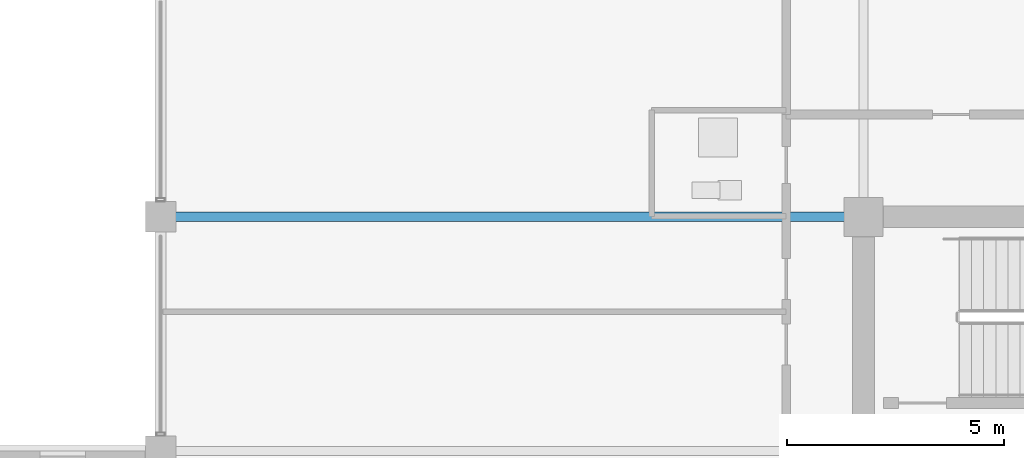
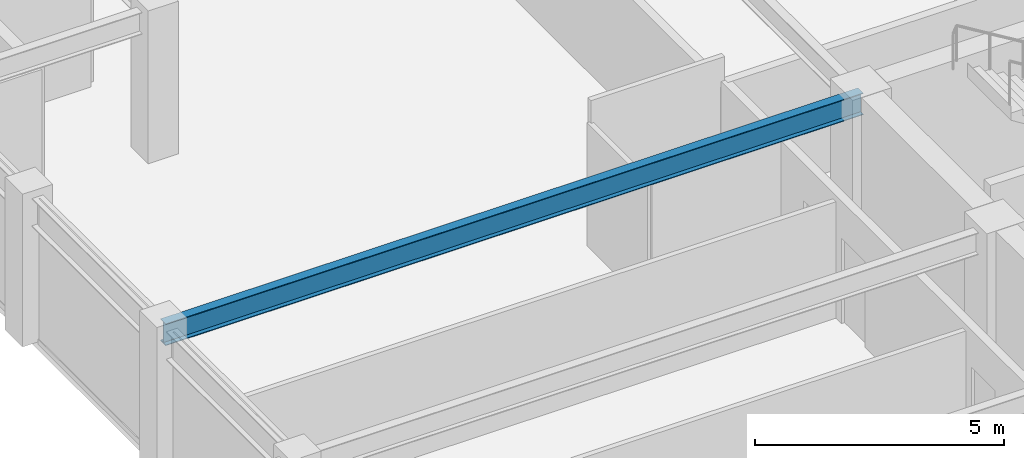
# One storey, part 14 of 31: 1 beam.
"""IFC4 building model written with IfcOpenShell, lengths in metres."""

from ifc_helpers import new_model, si_unit, direction, frame, origin, origin_2d, place, context, subcontext, project, spatial, i_section, extrude, material, material_profile, profile_set, type_object, element, save


model = new_model("IFC4")

# Units and contexts
model_context = context("Model", 3, precision=1e-05, world=origin(), true_north=direction((0.0, 1.0)))
body_context = subcontext(model_context, "Body", "Model", "MODEL_VIEW")
ifc_project = project(units=[si_unit("LENGTHUNIT", "METRE"), si_unit("AREAUNIT", "SQUARE_METRE"), si_unit("VOLUMEUNIT", "CUBIC_METRE"), si_unit("PLANEANGLEUNIT", "RADIAN"), si_unit("MASSUNIT", "GRAM", prefix="KILO")], contexts=[model_context])

# Site, building, storey
site_placement = place(None, origin())
site = spatial("IfcSite", under=ifc_project, at=site_placement, CompositionType="ELEMENT")
building_placement = place(site_placement, origin())
building = spatial("IfcBuilding", under=site, at=building_placement, Name="Surkhivell Harbour Commons", CompositionType="ELEMENT")
storey_placement = place(building_placement, frame((0.0, 0.0, 318.75)))
storey = spatial("IfcBuildingStorey", under=building, at=storey_placement, Name="L83", CompositionType="ELEMENT", Elevation=318.75)

# Beam
ifc_material = material(Name="Steel S355", Category="steel")
ifc_material_profile = material_profile(ifc_material, i_section(OverallWidth=0.2099609375, OverallDepth=0.537109375, WebThickness=0.0107421875, FlangeThickness=0.017333984375, at=origin_2d()), Name="UB533x210x101")
ifc_profile_set = profile_set([ifc_material_profile], Name="Steel S355")
beam_type = type_object("IfcBeamType", Name="BM-GRD-533B", PredefinedType="BEAM", material=ifc_profile_set)
beam_placement = place(storey_placement, frame((-27.0, 10.800048828125, 3.301513671875), z_axis=(1.0, 0.0, 0.0), x_axis=(0.0, 1.0, 0.0)))
element("IfcBeam", 1, at=beam_placement, inside=storey, type_object=beam_type, Name="L83 Floor Girder (-27.0,10.8)", PredefinedType="BEAM", context=body_context, shape_type="SweptSolid", body=[
    extrude(i_section(OverallWidth=0.2099609375, OverallDepth=0.537109375, WebThickness=0.0107421875, FlangeThickness=0.017333984375, at=origin_2d()), origin(), (0.0, 0.0, 1.0), 16.199951171875),
])

save(model, "model.ifc")
